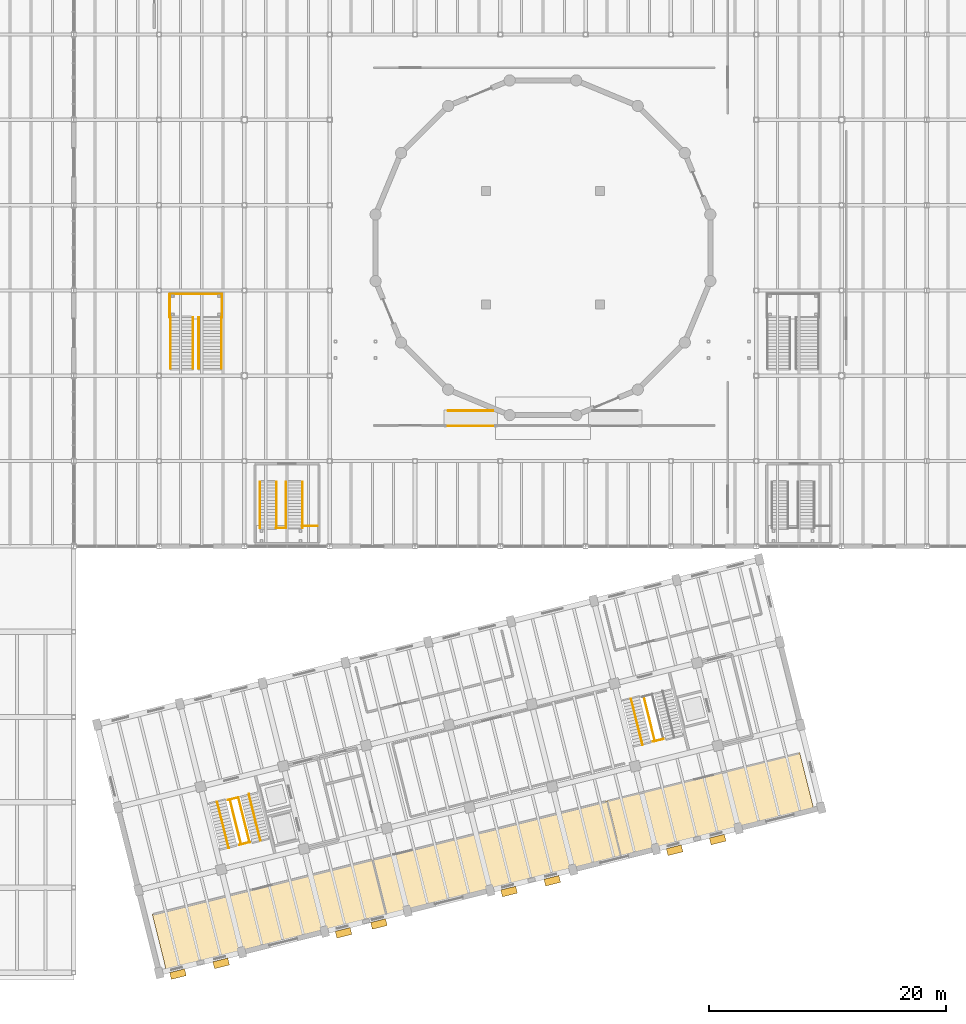
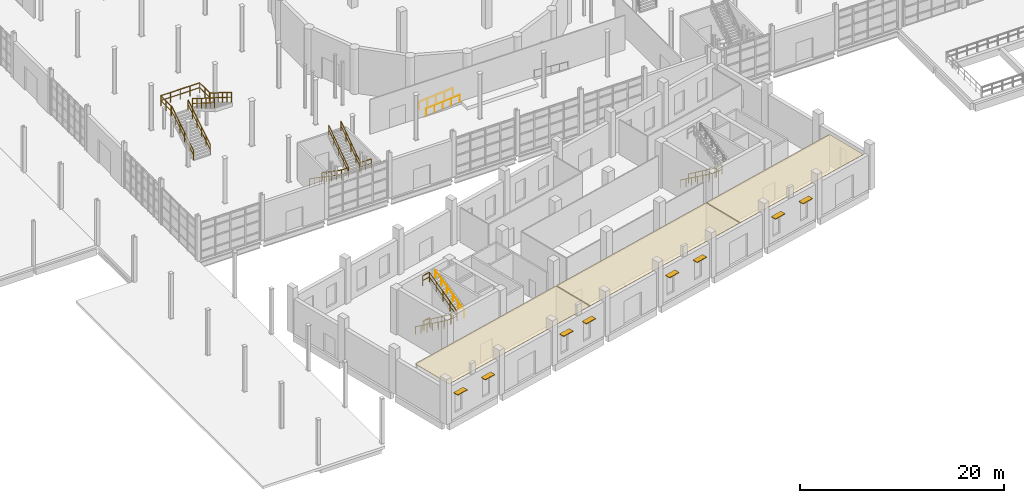
# One storey, part 75 of 79: 25 railings, 8 shading devices, 3 coverings.
"""IFC4 building model written with IfcOpenShell, lengths in metres."""

from ifc_helpers import new_model, si_unit, direction, frame, origin, origin_2d, place, context, subcontext, project, spatial, polyline, rectangle, circle, outline, extrude, material, layer, layer_set, material_profile, profile_set, type_object, element, save


model = new_model("IFC4")

# Units and contexts
model_context = context("Model", 3, precision=1e-05, world=origin(), true_north=direction((0.0, 1.0)))
body_context = subcontext(model_context, "Body", "Model", "MODEL_VIEW")
ifc_project = project(units=[si_unit("LENGTHUNIT", "METRE"), si_unit("AREAUNIT", "SQUARE_METRE"), si_unit("VOLUMEUNIT", "CUBIC_METRE"), si_unit("PLANEANGLEUNIT", "RADIAN"), si_unit("MASSUNIT", "GRAM", prefix="KILO")], contexts=[model_context])

# Site, building, storey
site_placement = place(None, origin())
site = spatial("IfcSite", under=ifc_project, at=site_placement, CompositionType="ELEMENT")
building_placement = place(site_placement, origin())
building = spatial("IfcBuilding", under=site, at=building_placement, Name="Qiaolan Assembly House", CompositionType="ELEMENT")
storey_placement = place(building_placement, origin())
storey = spatial("IfcBuildingStorey", under=building, at=storey_placement, Name="L00", CompositionType="ELEMENT", Elevation=0.0)

# Coverings
ifc_material_1 = material(Name="Gypsum plasterboard acoustic ceiling")
ifc_layer = layer(ifc_material_1, 0.044921875)
ifc_layer_set = layer_set([ifc_layer], Name="Gypsum plasterboard acoustic ceiling")
covering_type = type_object("IfcCoveringType", Name="COV-CEIL-ACOUSTIC", PredefinedType="CEILING", material=ifc_layer_set)
covering_1_placement = place(storey_placement, frame((0.0, 0.0, 4.074951171875)))
element("IfcCovering", 1, at=covering_1_placement, inside=storey, type_object=covering_type, Name="Suspended ceiling Citizens Service Centre — Civil Registration Hall", PredefinedType="CEILING", context=body_context, shape_type="SweptSolid", body=[
    extrude(outline(polyline([(36.577392578125, 0.32958984375), (55.12939453125, 4.955078125), (53.97314453125, 9.593017578125), (35.421142578125, 4.967529296875), (36.577392578125, 0.32958984375)])), origin(), (0.0, 0.0, 1.0), 0.045166015625),
])
covering_2_placement = place(storey_placement, frame((0.0, 0.0, 4.074951171875)))
element("IfcCovering", 2, at=covering_2_placement, inside=storey, type_object=covering_type, Name="Suspended ceiling Citizens Service Centre — Tax, Social Security & Licensing", PredefinedType="CEILING", context=body_context, shape_type="SweptSolid", body=[
    extrude(outline(polyline([(55.20703125, 4.974365234375), (74.923583984375, 9.89013671875), (73.76708984375, 14.5283203125), (54.05078125, 9.6123046875), (55.20703125, 4.974365234375)])), origin(), (0.0, 0.0, 1.0), 0.045166015625),
])
covering_3_placement = place(storey_placement, frame((0.0, 0.0, 4.074951171875)))
element("IfcCovering", 3, at=covering_3_placement, inside=storey, type_object=covering_type, Name="Suspended ceiling Public Waiting Concourse & Queue Ticketing Lounge", PredefinedType="CEILING", context=body_context, shape_type="SweptSolid", body=[
    extrude(outline(polyline([(75.001220703125, 9.90966796875), (91.224609375, 13.95458984375), (90.068115234375, 18.592529296875), (73.8447265625, 14.547607421875), (75.001220703125, 9.90966796875)])), origin(), (0.0, 0.0, 1.0), 0.045166015625),
])

# Railings
ifc_material_2 = material(Name="Anodised bronze aluminium", Category="aluminium")
railing_type_1 = type_object("IfcRailingType", Name="RAL-GUARD-GALLERY-1200", PredefinedType="BALUSTRADE", material=ifc_material_2)
for number, where, name in (
    (4, (36.949951171875, 51.0, 0.0), "GR-02 ceremonial stair balustrade FLT-ST-H1-1-L"),
    (5, (38.85009765625, 51.0, 0.0), "GR-02 ceremonial stair balustrade FLT-ST-H1-1-R"),
):
    element("IfcRailing", number, at=place(storey_placement, frame(where)), inside=storey, type_object=railing_type_1, Name=name, PredefinedType="BALUSTRADE", context=body_context, shape_type="SweptSolid", body=[
        extrude(circle(Radius=0.02392578125, at=origin_2d()), frame((0.0, 0.0, 1.17578125), z_axis=(0.0, 0.848006380901, 0.52998601675), x_axis=(-1.0, 0.0, 0.0)), (0.0, 0.0, 1.0), 5.094482421875),
        extrude(circle(Radius=0.01611328125, at=origin_2d()), frame((0.0, 0.0, 0.60009765625), z_axis=(0.0, 0.848006380901, 0.52998601675), x_axis=(-1.0, 0.0, 0.0)), (0.0, 0.0, 1.0), 5.094482421875),
        extrude(circle(Radius=0.02099609375, at=origin_2d()), origin(), (0.0, 0.0, 1.0), 1.15185546875),
        extrude(circle(Radius=0.02099609375, at=origin_2d()), frame((0.0, 0.864013671875, 0.5400390625)), (0.0, 0.0, 1.0), 1.15185546875),
        extrude(circle(Radius=0.02099609375, at=origin_2d()), frame((0.0, 1.72802734375, 1.080078125)), (0.0, 0.0, 1.0), 1.15185546875),
        extrude(circle(Radius=0.02099609375, at=origin_2d()), frame((0.0, 2.592041015625, 1.619873046875)), (0.0, 0.0, 1.0), 1.15185546875),
        extrude(circle(Radius=0.02099609375, at=origin_2d()), frame((0.0, 3.4560546875, 2.159912109375)), (0.0, 0.0, 1.0), 1.15185546875),
        extrude(circle(Radius=0.02099609375, at=origin_2d()), frame((0.0, 4.320068359375, 2.699951171875)), (0.0, 0.0, 1.0), 1.15185546875),
    ])
for number, where, name in (
    (6, (39.35009765625, 55.320068359375, 2.699951171875), "GR-02 ceremonial stair balustrade FLT-ST-H1-2-L"),
    (7, (41.25, 55.320068359375, 2.699951171875), "GR-02 ceremonial stair balustrade FLT-ST-H1-2-R"),
):
    element("IfcRailing", number, at=place(storey_placement, frame(where)), inside=storey, type_object=railing_type_1, Name=name, PredefinedType="BALUSTRADE", context=body_context, shape_type="SweptSolid", body=[
        extrude(circle(Radius=0.02392578125, at=origin_2d()), frame((0.0, 0.0, 1.17578125), z_axis=(0.0, -0.848006380901, 0.52998601675), x_axis=(1.0, 0.0, 0.0)), (0.0, 0.0, 1.0), 5.094482421875),
        extrude(circle(Radius=0.01611328125, at=origin_2d()), frame((0.0, 0.0, 0.60009765625), z_axis=(0.0, -0.848006380901, 0.52998601675), x_axis=(1.0, 0.0, 0.0)), (0.0, 0.0, 1.0), 5.094482421875),
        extrude(circle(Radius=0.02099609375, at=origin_2d()), origin(), (0.0, 0.0, 1.0), 1.15185546875),
        extrude(circle(Radius=0.02099609375, at=origin_2d()), frame((0.0, -0.864013671875, 0.5400390625)), (0.0, 0.0, 1.0), 1.15185546875),
        extrude(circle(Radius=0.02099609375, at=origin_2d()), frame((0.0, -1.72802734375, 1.080078125)), (0.0, 0.0, 1.0), 1.15185546875),
        extrude(circle(Radius=0.02099609375, at=origin_2d()), frame((0.0, -2.592041015625, 1.619873046875)), (0.0, 0.0, 1.0), 1.15185546875),
        extrude(circle(Radius=0.02099609375, at=origin_2d()), frame((0.0, -3.4560546875, 2.159912109375)), (0.0, 0.0, 1.0), 1.15185546875),
        extrude(circle(Radius=0.02099609375, at=origin_2d()), frame((0.0, -4.320068359375, 2.699951171875)), (0.0, 0.0, 1.0), 1.15185546875),
    ])
railing_1_placement = place(storey_placement, frame((36.89990234375, 55.320068359375, 2.699951171875)))
element("IfcRailing", 8, at=railing_1_placement, inside=storey, type_object=railing_type_1, Name="GR-02 ceremonial mid-landing guard ST-H1 seg 1", PredefinedType="BALUSTRADE", context=body_context, shape_type="SweptSolid", body=[
    extrude(circle(Radius=0.02392578125, at=origin_2d()), frame((0.0, 0.0, 1.17578125), z_axis=(0.0, 1.0, 0.0), x_axis=(-1.0, 0.0, 0.0)), (0.0, 0.0, 1.0), 1.97998046875),
    extrude(circle(Radius=0.01611328125, at=origin_2d()), frame((0.0, 0.0, 0.60009765625), z_axis=(0.0, 1.0, 0.0), x_axis=(-1.0, 0.0, 0.0)), (0.0, 0.0, 1.0), 1.97998046875),
    extrude(circle(Radius=0.02099609375, at=origin_2d()), origin(), (0.0, 0.0, 1.0), 1.15185546875),
    extrude(circle(Radius=0.02099609375, at=origin_2d()), frame((0.0, 0.989990234375, 0.0)), (0.0, 0.0, 1.0), 1.15185546875),
    extrude(circle(Radius=0.02099609375, at=origin_2d()), frame((0.0, 1.97998046875, 0.0)), (0.0, 0.0, 1.0), 1.15185546875),
])
railing_2_placement = place(storey_placement, frame((36.89990234375, 57.300048828125, 2.699951171875)))
element("IfcRailing", 9, at=railing_2_placement, inside=storey, type_object=railing_type_1, Name="GR-02 ceremonial mid-landing guard ST-H1 seg 2", PredefinedType="BALUSTRADE", context=body_context, shape_type="SweptSolid", body=[
    extrude(circle(Radius=0.02392578125, at=origin_2d()), frame((0.0, 0.0, 1.17578125), z_axis=(1.0, 0.0, 0.0), x_axis=(0.0, 1.0, 0.0)), (0.0, 0.0, 1.0), 4.400146484375),
    extrude(circle(Radius=0.01611328125, at=origin_2d()), frame((0.0, 0.0, 0.60009765625), z_axis=(1.0, 0.0, 0.0), x_axis=(0.0, 1.0, 0.0)), (0.0, 0.0, 1.0), 4.400146484375),
    extrude(circle(Radius=0.02099609375, at=origin_2d()), origin(), (0.0, 0.0, 1.0), 1.15185546875),
    extrude(circle(Radius=0.02099609375, at=origin_2d()), frame((1.10009765625, 0.0, 0.0)), (0.0, 0.0, 1.0), 1.15185546875),
    extrude(circle(Radius=0.02099609375, at=origin_2d()), frame((2.2001953125, 0.0, 0.0)), (0.0, 0.0, 1.0), 1.15185546875),
    extrude(circle(Radius=0.02099609375, at=origin_2d()), frame((3.300048828125, 0.0, 0.0)), (0.0, 0.0, 1.0), 1.15185546875),
    extrude(circle(Radius=0.02099609375, at=origin_2d()), frame((4.400146484375, 0.0, 0.0)), (0.0, 0.0, 1.0), 1.15185546875),
])
railing_3_placement = place(storey_placement, frame((41.300048828125, 57.300048828125, 2.699951171875)))
element("IfcRailing", 10, at=railing_3_placement, inside=storey, type_object=railing_type_1, Name="GR-02 ceremonial mid-landing guard ST-H1 seg 3", PredefinedType="BALUSTRADE", context=body_context, shape_type="SweptSolid", body=[
    extrude(circle(Radius=0.02392578125, at=origin_2d()), frame((0.0, 0.0, 1.17578125), z_axis=(0.0, -1.0, 0.0), x_axis=(1.0, 0.0, 0.0)), (0.0, 0.0, 1.0), 1.97998046875),
    extrude(circle(Radius=0.01611328125, at=origin_2d()), frame((0.0, 0.0, 0.60009765625), z_axis=(0.0, -1.0, 0.0), x_axis=(1.0, 0.0, 0.0)), (0.0, 0.0, 1.0), 1.97998046875),
    extrude(circle(Radius=0.02099609375, at=origin_2d()), origin(), (0.0, 0.0, 1.0), 1.15185546875),
    extrude(circle(Radius=0.02099609375, at=origin_2d()), frame((0.0, -0.989990234375, 0.0)), (0.0, 0.0, 1.0), 1.15185546875),
    extrude(circle(Radius=0.02099609375, at=origin_2d()), frame((0.0, -1.97998046875, 0.0)), (0.0, 0.0, 1.0), 1.15185546875),
])
railing_type_2 = type_object("IfcRailingType", Name="RAL-GUARD-STAIRWELL-1150", PredefinedType="GUARDRAIL", material=ifc_material_2)
railing_4_placement = place(storey_placement, frame((41.97802734375, 14.630859375, 0.0)))
element("IfcRailing", 11, at=railing_4_placement, inside=storey, type_object=railing_type_2, Name="GR-01 stair inner-well guard FLT-CORE-C-L00-1", PredefinedType="GUARDRAIL", context=body_context, shape_type="SweptSolid", body=[
    extrude(circle(Radius=0.02392578125, at=origin_2d()), frame((0.0, 0.0, 1.1259765625), z_axis=(0.198928469687, -0.79777264687, 0.569197916241), x_axis=(0.970289613784, 0.241946410147, 0.0)), (0.0, 0.0, 1.0), 4.743408203125),
    extrude(circle(Radius=0.01611328125, at=origin_2d()), frame((0.0, 0.0, 0.574951171875), z_axis=(0.198928469687, -0.79777264687, 0.569197916241), x_axis=(0.970289613784, 0.241946410147, 0.0)), (0.0, 0.0, 1.0), 4.743408203125),
    extrude(circle(Radius=0.02099609375, at=origin_2d()), origin(), (0.0, 0.0, 1.0), 1.101806640625),
    extrude(circle(Radius=0.02099609375, at=origin_2d()), frame((0.23583984375, -0.946044921875, 0.675048828125)), (0.0, 0.0, 1.0), 1.101806640625),
    extrude(circle(Radius=0.02099609375, at=origin_2d()), frame((0.4716796875, -1.89208984375, 1.35009765625)), (0.0, 0.0, 1.0), 1.101806640625),
    extrude(circle(Radius=0.02099609375, at=origin_2d()), frame((0.707763671875, -2.838134765625, 2.02490234375)), (0.0, 0.0, 1.0), 1.101806640625),
    extrude(circle(Radius=0.02099609375, at=origin_2d()), frame((0.943603515625, -3.7841796875, 2.699951171875)), (0.0, 0.0, 1.0), 1.101806640625),
])
railing_5_placement = place(storey_placement, frame((43.6396484375, 11.025634765625, 2.699951171875)))
element("IfcRailing", 12, at=railing_5_placement, inside=storey, type_object=railing_type_2, Name="GR-01 stair inner-well guard FLT-CORE-C-L00-2", PredefinedType="GUARDRAIL", context=body_context, shape_type="SweptSolid", body=[
    extrude(circle(Radius=0.02392578125, at=origin_2d()), frame((0.0, 0.0, 1.1259765625), z_axis=(-0.198928469687, 0.79777264687, 0.569197916241), x_axis=(-0.970289613784, -0.241946410147, 0.0)), (0.0, 0.0, 1.0), 4.743408203125),
    extrude(circle(Radius=0.01611328125, at=origin_2d()), frame((0.0, 0.0, 0.574951171875), z_axis=(-0.198928469687, 0.79777264687, 0.569197916241), x_axis=(-0.970289613784, -0.241946410147, 0.0)), (0.0, 0.0, 1.0), 4.743408203125),
    extrude(circle(Radius=0.02099609375, at=origin_2d()), origin(), (0.0, 0.0, 1.0), 1.101806640625),
    extrude(circle(Radius=0.02099609375, at=origin_2d()), frame((-0.23583984375, 0.946044921875, 0.675048828125)), (0.0, 0.0, 1.0), 1.101806640625),
    extrude(circle(Radius=0.02099609375, at=origin_2d()), frame((-0.4716796875, 1.89208984375, 1.35009765625)), (0.0, 0.0, 1.0), 1.101806640625),
    extrude(circle(Radius=0.02099609375, at=origin_2d()), frame((-0.707763671875, 2.838134765625, 2.02490234375)), (0.0, 0.0, 1.0), 1.101806640625),
    extrude(circle(Radius=0.02099609375, at=origin_2d()), frame((-0.943603515625, 3.7841796875, 2.699951171875)), (0.0, 0.0, 1.0), 1.101806640625),
])
railing_6_placement = place(storey_placement, frame((42.766357421875, 10.807861328125, 2.699951171875)))
element("IfcRailing", 13, at=railing_6_placement, inside=storey, type_object=railing_type_2, Name="GR-01 stairwell landing guard CORE-C L00-1", PredefinedType="GUARDRAIL", context=body_context, shape_type="SweptSolid", body=[
    extrude(circle(Radius=0.02392578125, at=origin_2d()), frame((0.0, 0.0, 1.1259765625), z_axis=(0.97026726112, 0.242036034503, 0.0), x_axis=(-0.242036034503, 0.97026726112, 0.0)), (0.0, 0.0, 1.0), 0.919921875),
    extrude(circle(Radius=0.01611328125, at=origin_2d()), frame((0.0, 0.0, 0.574951171875), z_axis=(0.97026726112, 0.242036034503, 0.0), x_axis=(-0.242036034503, 0.97026726112, 0.0)), (0.0, 0.0, 1.0), 0.919921875),
    extrude(circle(Radius=0.02099609375, at=origin_2d()), origin(), (0.0, 0.0, 1.0), 1.101806640625),
    extrude(circle(Radius=0.02099609375, at=origin_2d()), frame((0.892578125, 0.22265625, 0.0)), (0.0, 0.0, 1.0), 1.101806640625),
])
for number, where, name in (
    (14, (41.82275390625, 14.592041015625, 5.39990234375), "GR-01 stairwell landing guard CORE-C L00-2"),
    (15, (41.82275390625, 14.592041015625, 0.0), "GR-01 stairwell landing guard CORE-C L00-3"),
):
    element("IfcRailing", number, at=place(storey_placement, frame(where)), inside=storey, type_object=railing_type_2, Name=name, PredefinedType="GUARDRAIL", context=body_context, shape_type="SweptSolid", body=[
        extrude(circle(Radius=0.02392578125, at=origin_2d()), frame((0.0, 0.0, 1.1259765625), z_axis=(0.970282802069, 0.241973725865, 0.0), x_axis=(-0.241973725865, 0.970282802069, 0.0)), (0.0, 0.0, 1.0), 0.920166015625),
        extrude(circle(Radius=0.01611328125, at=origin_2d()), frame((0.0, 0.0, 0.574951171875), z_axis=(0.970282802069, 0.241973725865, 0.0), x_axis=(-0.241973725865, 0.970282802069, 0.0)), (0.0, 0.0, 1.0), 0.920166015625),
        extrude(circle(Radius=0.02099609375, at=origin_2d()), origin(), (0.0, 0.0, 1.0), 1.101806640625),
        extrude(circle(Radius=0.02099609375, at=origin_2d()), frame((0.892822265625, 0.22265625, 0.0)), (0.0, 0.0, 1.0), 1.101806640625),
    ])
railing_7_placement = place(storey_placement, frame((76.90869140625, 23.340087890625, 0.0)))
element("IfcRailing", 16, at=railing_7_placement, inside=storey, type_object=railing_type_2, Name="GR-01 stair inner-well guard FLT-CORE-D-L00-1", PredefinedType="GUARDRAIL", context=body_context, shape_type="SweptSolid", body=[
    extrude(circle(Radius=0.02392578125, at=origin_2d()), frame((0.0, 0.0, 1.1259765625), z_axis=(0.198928469687, -0.79777264687, 0.569197916241), x_axis=(0.970289613784, 0.241946410147, 0.0)), (0.0, 0.0, 1.0), 4.743408203125),
    extrude(circle(Radius=0.01611328125, at=origin_2d()), frame((0.0, 0.0, 0.574951171875), z_axis=(0.198928469687, -0.79777264687, 0.569197916241), x_axis=(0.970289613784, 0.241946410147, 0.0)), (0.0, 0.0, 1.0), 4.743408203125),
    extrude(circle(Radius=0.02099609375, at=origin_2d()), origin(), (0.0, 0.0, 1.0), 1.101806640625),
    extrude(circle(Radius=0.02099609375, at=origin_2d()), frame((0.23583984375, -0.946044921875, 0.675048828125)), (0.0, 0.0, 1.0), 1.101806640625),
    extrude(circle(Radius=0.02099609375, at=origin_2d()), frame((0.4716796875, -1.89208984375, 1.35009765625)), (0.0, 0.0, 1.0), 1.101806640625),
    extrude(circle(Radius=0.02099609375, at=origin_2d()), frame((0.707763671875, -2.838134765625, 2.02490234375)), (0.0, 0.0, 1.0), 1.101806640625),
    extrude(circle(Radius=0.02099609375, at=origin_2d()), frame((0.943603515625, -3.7841796875, 2.699951171875)), (0.0, 0.0, 1.0), 1.101806640625),
])
railing_8_placement = place(storey_placement, frame((77.697021484375, 19.51708984375, 2.699951171875)))
element("IfcRailing", 17, at=railing_8_placement, inside=storey, type_object=railing_type_2, Name="GR-01 stairwell landing guard CORE-D L00-1", PredefinedType="GUARDRAIL", context=body_context, shape_type="SweptSolid", body=[
    extrude(circle(Radius=0.02392578125, at=origin_2d()), frame((0.0, 0.0, 1.1259765625), z_axis=(0.97026726112, 0.242036034503, 0.0), x_axis=(-0.242036034503, 0.97026726112, 0.0)), (0.0, 0.0, 1.0), 0.919921875),
    extrude(circle(Radius=0.01611328125, at=origin_2d()), frame((0.0, 0.0, 0.574951171875), z_axis=(0.97026726112, 0.242036034503, 0.0), x_axis=(-0.242036034503, 0.97026726112, 0.0)), (0.0, 0.0, 1.0), 0.919921875),
    extrude(circle(Radius=0.02099609375, at=origin_2d()), origin(), (0.0, 0.0, 1.0), 1.101806640625),
    extrude(circle(Radius=0.02099609375, at=origin_2d()), frame((0.892578125, 0.22265625, 0.0)), (0.0, 0.0, 1.0), 1.101806640625),
])
railing_9_placement = place(storey_placement, frame((45.89990234375, 41.449951171875, 0.0)))
element("IfcRailing", 18, at=railing_9_placement, inside=storey, type_object=railing_type_2, Name="GR-01 foyer L00 open-well guard FLT-ST-F01-1-R", PredefinedType="GUARDRAIL", context=body_context, shape_type="SweptSolid", body=[
    extrude(circle(Radius=0.02392578125, at=origin_2d()), frame((0.0, 0.0, 1.1259765625), z_axis=(0.0, -0.8221903387, 0.569212655295), x_axis=(1.0, 0.0, 0.0)), (0.0, 0.0, 1.0), 4.743408203125),
    extrude(circle(Radius=0.01611328125, at=origin_2d()), frame((0.0, 0.0, 0.574951171875), z_axis=(0.0, -0.8221903387, 0.569212655295), x_axis=(1.0, 0.0, 0.0)), (0.0, 0.0, 1.0), 4.743408203125),
    extrude(circle(Radius=0.02099609375, at=origin_2d()), origin(), (0.0, 0.0, 1.0), 1.101806640625),
    extrude(circle(Radius=0.02099609375, at=origin_2d()), frame((0.0, -0.97509765625, 0.675048828125)), (0.0, 0.0, 1.0), 1.101806640625),
    extrude(circle(Radius=0.02099609375, at=origin_2d()), frame((0.0, -1.949951171875, 1.35009765625)), (0.0, 0.0, 1.0), 1.101806640625),
    extrude(circle(Radius=0.02099609375, at=origin_2d()), frame((0.0, -2.9248046875, 2.02490234375)), (0.0, 0.0, 1.0), 1.101806640625),
    extrude(circle(Radius=0.02099609375, at=origin_2d()), frame((0.0, -3.89990234375, 2.699951171875)), (0.0, 0.0, 1.0), 1.101806640625),
])
for number, where, name in (
    (19, (46.719970703125, 37.550048828125, 2.699951171875), "GR-01 foyer L00 inner-well guard FLT-ST-F01-2-L"),
    (20, (48.10009765625, 37.550048828125, 2.699951171875), "GR-01 foyer L00 open-well guard FLT-ST-F01-2-R"),
):
    element("IfcRailing", number, at=place(storey_placement, frame(where)), inside=storey, type_object=railing_type_2, Name=name, PredefinedType="GUARDRAIL", context=body_context, shape_type="SweptSolid", body=[
        extrude(circle(Radius=0.02392578125, at=origin_2d()), frame((0.0, 0.0, 1.1259765625), z_axis=(0.0, 0.8221903387, 0.569212655295), x_axis=(-1.0, 0.0, 0.0)), (0.0, 0.0, 1.0), 4.743408203125),
        extrude(circle(Radius=0.01611328125, at=origin_2d()), frame((0.0, 0.0, 0.574951171875), z_axis=(0.0, 0.8221903387, 0.569212655295), x_axis=(-1.0, 0.0, 0.0)), (0.0, 0.0, 1.0), 4.743408203125),
        extrude(circle(Radius=0.02099609375, at=origin_2d()), origin(), (0.0, 0.0, 1.0), 1.101806640625),
        extrude(circle(Radius=0.02099609375, at=origin_2d()), frame((0.0, 0.97509765625, 0.675048828125)), (0.0, 0.0, 1.0), 1.101806640625),
        extrude(circle(Radius=0.02099609375, at=origin_2d()), frame((0.0, 1.949951171875, 1.35009765625)), (0.0, 0.0, 1.0), 1.101806640625),
        extrude(circle(Radius=0.02099609375, at=origin_2d()), frame((0.0, 2.9248046875, 2.02490234375)), (0.0, 0.0, 1.0), 1.101806640625),
        extrude(circle(Radius=0.02099609375, at=origin_2d()), frame((0.0, 3.89990234375, 2.699951171875)), (0.0, 0.0, 1.0), 1.101806640625),
    ])
railing_10_placement = place(storey_placement, frame((45.8798828125, 37.550048828125, 2.699951171875)))
element("IfcRailing", 21, at=railing_10_placement, inside=storey, type_object=railing_type_2, Name="GR-01 foyer L00 mid-landing guard ST-F01", PredefinedType="GUARDRAIL", context=body_context, shape_type="SweptSolid", body=[
    extrude(circle(Radius=0.02392578125, at=origin_2d()), frame((0.0, 0.0, 1.1259765625), z_axis=(1.0, 0.0, 0.0), x_axis=(0.0, 1.0, 0.0)), (0.0, 0.0, 1.0), 0.840087890625),
    extrude(circle(Radius=0.01611328125, at=origin_2d()), frame((0.0, 0.0, 0.574951171875), z_axis=(1.0, 0.0, 0.0), x_axis=(0.0, 1.0, 0.0)), (0.0, 0.0, 1.0), 0.840087890625),
    extrude(circle(Radius=0.02099609375, at=origin_2d()), origin(), (0.0, 0.0, 1.0), 1.101806640625),
    extrude(circle(Radius=0.02099609375, at=origin_2d()), frame((0.840087890625, 0.0, 0.0)), (0.0, 0.0, 1.0), 1.101806640625),
])
railing_11_placement = place(storey_placement, frame((48.06005859375, 37.72998046875, 2.699951171875)))
element("IfcRailing", 22, at=railing_11_placement, inside=storey, type_object=railing_type_2, Name="GR-01 foyer L00 east half-landing guard ST-F01", PredefinedType="GUARDRAIL", context=body_context, shape_type="SweptSolid", body=[
    extrude(circle(Radius=0.02392578125, at=origin_2d()), frame((0.0, 0.0, 1.1259765625), z_axis=(1.0, 0.0, 0.0), x_axis=(0.0, 1.0, 0.0)), (0.0, 0.0, 1.0), 1.31982421875),
    extrude(circle(Radius=0.01611328125, at=origin_2d()), frame((0.0, 0.0, 0.574951171875), z_axis=(1.0, 0.0, 0.0), x_axis=(0.0, 1.0, 0.0)), (0.0, 0.0, 1.0), 1.31982421875),
    extrude(circle(Radius=0.02099609375, at=origin_2d()), origin(), (0.0, 0.0, 1.0), 1.101806640625),
    extrude(circle(Radius=0.02099609375, at=origin_2d()), frame((0.659912109375, 0.0, 0.0)), (0.0, 0.0, 1.0), 1.101806640625),
    extrude(circle(Radius=0.02099609375, at=origin_2d()), frame((1.31982421875, 0.0, 0.0)), (0.0, 0.0, 1.0), 1.101806640625),
])
railing_type_3 = type_object("IfcRailingType", Name="RAL-HANDRAIL-RAMP-900", PredefinedType="HANDRAIL", material=ifc_material_2)
for number, where, name in (
    (23, (60.39990234375, 47.445068359375, 0.028076171875), "HR-02 accessible dais ramp handrail RMP-ACC-P1-L"),
    (24, (60.39990234375, 46.155029296875, 0.028076171875), "HR-02 accessible dais ramp handrail RMP-ACC-P1-R"),
):
    element("IfcRailing", number, at=place(storey_placement, frame(where)), inside=storey, type_object=railing_type_3, Name=name, PredefinedType="HANDRAIL", context=body_context, shape_type="SweptSolid", body=[
        extrude(circle(Radius=0.02392578125, at=origin_2d()), frame((0.0, 0.0, 0.8759765625), z_axis=(0.996816296613, 0.0, 0.079732495296), x_axis=(0.0, 1.0, 0.0)), (0.0, 0.0, 1.0), 3.812255859375),
        extrude(circle(Radius=0.02099609375, at=origin_2d()), origin(), (0.0, 0.0, 1.0), 0.851806640625),
        extrude(circle(Radius=0.02099609375, at=origin_2d()), frame((0.949951171875, 0.0, 0.075927734375)), (0.0, 0.0, 1.0), 0.851806640625),
        extrude(circle(Radius=0.02099609375, at=origin_2d()), frame((1.89990234375, 0.0, 0.15185546875)), (0.0, 0.0, 1.0), 0.851806640625),
        extrude(circle(Radius=0.02099609375, at=origin_2d()), frame((2.85009765625, 0.0, 0.22802734375)), (0.0, 0.0, 1.0), 0.851806640625),
        extrude(circle(Radius=0.02099609375, at=origin_2d()), frame((3.800048828125, 0.0, 0.303955078125)), (0.0, 0.0, 1.0), 0.851806640625),
    ])
railing_type_4 = type_object("IfcRailingType", Name="RAL-HANDRAIL-STAIR-920", PredefinedType="HANDRAIL", material=ifc_material_2)
railing_12_placement = place(storey_placement, frame((40.906005859375, 14.42529296875, 0.0)))
element("IfcRailing", 25, at=railing_12_placement, inside=storey, type_object=railing_type_4, Name="HR-01 stair handrail FLT-CORE-C-L00-1", PredefinedType="HANDRAIL", context=body_context, shape_type="SweptSolid", body=[
    extrude(circle(Radius=0.02392578125, at=origin_2d()), frame((0.0, 0.0, 0.89599609375), z_axis=(0.200805870417, -0.805492189721, 0.557547607568), x_axis=(0.970303046203, 0.241892535083, 0.0)), (0.0, 0.0, 1.0), 4.842529296875),
    extrude(circle(Radius=0.02099609375, at=origin_2d()), origin(), (0.0, 0.0, 1.0), 0.871826171875),
    extrude(circle(Radius=0.02099609375, at=origin_2d()), frame((0.194580078125, -0.780029296875, 0.5400390625)), (0.0, 0.0, 1.0), 0.871826171875),
    extrude(circle(Radius=0.02099609375, at=origin_2d()), frame((0.388916015625, -1.560302734375, 1.080078125)), (0.0, 0.0, 1.0), 0.871826171875),
    extrude(circle(Radius=0.02099609375, at=origin_2d()), frame((0.58349609375, -2.34033203125, 1.619873046875)), (0.0, 0.0, 1.0), 0.871826171875),
    extrude(circle(Radius=0.02099609375, at=origin_2d()), frame((0.77783203125, -3.12060546875, 2.159912109375)), (0.0, 0.0, 1.0), 0.871826171875),
    extrude(circle(Radius=0.02099609375, at=origin_2d()), frame((0.972412109375, -3.900634765625, 2.699951171875)), (0.0, 0.0, 1.0), 0.871826171875),
])
railing_13_placement = place(storey_placement, frame((44.546875, 11.18994140625, 2.699951171875)))
element("IfcRailing", 26, at=railing_13_placement, inside=storey, type_object=railing_type_4, Name="HR-01 stair handrail FLT-CORE-C-L00-2", PredefinedType="HANDRAIL", context=body_context, shape_type="SweptSolid", body=[
    extrude(circle(Radius=0.02392578125, at=origin_2d()), frame((0.0, 0.0, 0.89599609375), z_axis=(-0.200854252503, 0.805484034199, 0.557541962459), x_axis=(-0.970288790555, -0.241949711559, 0.0)), (0.0, 0.0, 1.0), 4.842529296875),
    extrude(circle(Radius=0.02099609375, at=origin_2d()), origin(), (0.0, 0.0, 1.0), 0.871826171875),
    extrude(circle(Radius=0.02099609375, at=origin_2d()), frame((-0.194580078125, 0.780029296875, 0.5400390625)), (0.0, 0.0, 1.0), 0.871826171875),
    extrude(circle(Radius=0.02099609375, at=origin_2d()), frame((-0.38916015625, 1.560302734375, 1.080078125)), (0.0, 0.0, 1.0), 0.871826171875),
    extrude(circle(Radius=0.02099609375, at=origin_2d()), frame((-0.58349609375, 2.34033203125, 1.619873046875)), (0.0, 0.0, 1.0), 0.871826171875),
    extrude(circle(Radius=0.02099609375, at=origin_2d()), frame((-0.778076171875, 3.12060546875, 2.159912109375)), (0.0, 0.0, 1.0), 0.871826171875),
    extrude(circle(Radius=0.02099609375, at=origin_2d()), frame((-0.97265625, 3.900634765625, 2.699951171875)), (0.0, 0.0, 1.0), 0.871826171875),
])
railing_14_placement = place(storey_placement, frame((75.836669921875, 23.134521484375, 0.0)))
element("IfcRailing", 27, at=railing_14_placement, inside=storey, type_object=railing_type_4, Name="HR-01 stair handrail FLT-CORE-D-L00-1", PredefinedType="HANDRAIL", context=body_context, shape_type="SweptSolid", body=[
    extrude(circle(Radius=0.02392578125, at=origin_2d()), frame((0.0, 0.0, 0.89599609375), z_axis=(0.200805870417, -0.805492189721, 0.557547607568), x_axis=(0.970303046203, 0.241892535083, 0.0)), (0.0, 0.0, 1.0), 4.842529296875),
    extrude(circle(Radius=0.02099609375, at=origin_2d()), origin(), (0.0, 0.0, 1.0), 0.871826171875),
    extrude(circle(Radius=0.02099609375, at=origin_2d()), frame((0.194580078125, -0.780029296875, 0.5400390625)), (0.0, 0.0, 1.0), 0.871826171875),
    extrude(circle(Radius=0.02099609375, at=origin_2d()), frame((0.388916015625, -1.560302734375, 1.080078125)), (0.0, 0.0, 1.0), 0.871826171875),
    extrude(circle(Radius=0.02099609375, at=origin_2d()), frame((0.58349609375, -2.34033203125, 1.619873046875)), (0.0, 0.0, 1.0), 0.871826171875),
    extrude(circle(Radius=0.02099609375, at=origin_2d()), frame((0.77783203125, -3.12060546875, 2.159912109375)), (0.0, 0.0, 1.0), 0.871826171875),
    extrude(circle(Radius=0.02099609375, at=origin_2d()), frame((0.972412109375, -3.900634765625, 2.699951171875)), (0.0, 0.0, 1.0), 0.871826171875),
])
railing_15_placement = place(storey_placement, frame((44.52001953125, 41.449951171875, 0.0)))
element("IfcRailing", 28, at=railing_15_placement, inside=storey, type_object=railing_type_4, Name="HR-01 foyer L00 handrail FLT-ST-F01-1-L", PredefinedType="HANDRAIL", context=body_context, shape_type="SweptSolid", body=[
    extrude(circle(Radius=0.02392578125, at=origin_2d()), frame((0.0, 0.0, 0.89599609375), z_axis=(0.0, -0.8221903387, 0.569212655295), x_axis=(1.0, 0.0, 0.0)), (0.0, 0.0, 1.0), 4.743408203125),
    extrude(circle(Radius=0.02099609375, at=origin_2d()), origin(), (0.0, 0.0, 1.0), 0.871826171875),
    extrude(circle(Radius=0.02099609375, at=origin_2d()), frame((0.0, -0.97509765625, 0.675048828125)), (0.0, 0.0, 1.0), 0.871826171875),
    extrude(circle(Radius=0.02099609375, at=origin_2d()), frame((0.0, -1.949951171875, 1.35009765625)), (0.0, 0.0, 1.0), 0.871826171875),
    extrude(circle(Radius=0.02099609375, at=origin_2d()), frame((0.0, -2.9248046875, 2.02490234375)), (0.0, 0.0, 1.0), 0.871826171875),
    extrude(circle(Radius=0.02099609375, at=origin_2d()), frame((0.0, -3.89990234375, 2.699951171875)), (0.0, 0.0, 1.0), 0.871826171875),
])

# Shading devices
ifc_material_profile = material_profile(ifc_material_2, rectangle(XDim=0.60009765625, YDim=0.070068359375, at=origin_2d()), Name="SHD 600x70")
ifc_profile_set = profile_set([ifc_material_profile], Name="Anodised bronze aluminium")
shading_device_type = type_object("IfcShadingDeviceType", Name="SHD-SUNSHADE-AL-600", PredefinedType="AWNING", material=ifc_profile_set)
shading_device_1_placement = place(storey_placement, frame((36.967041015625, -0.26123046875, 3.14990234375), z_axis=(0.970296981152, 0.24191686251, 0.0), x_axis=(-0.24191686251, 0.970296981152, 0.0)))
element("IfcShadingDevice", 29, at=shading_device_1_placement, inside=storey, type_object=shading_device_type, Name="SH-02 horizontal sunshade louvre L00-1", PredefinedType="AWNING", context=body_context, shape_type="SweptSolid", body=[
    extrude(rectangle(XDim=0.60009765625, YDim=0.070068359375, at=origin_2d()), origin(), (0.0, 0.0, 1.0), 1.2998046875),
])
for number, where, z_axis, x_axis, name in (
    (30, (40.60546875, 0.645751953125, 3.14990234375), (0.970263883687, 0.242049573461, 0.0), (-0.242049573461, 0.970263883687, 0.0), "SH-02 horizontal sunshade louvre L00-1"),
    (31, (50.939208984375, 3.222412109375, 3.14990234375), (0.970307970296, 0.241872782222, 0.0), (-0.241872782222, 0.970307970296, 0.0), "SH-02 horizontal sunshade louvre L00-3"),
    (32, (53.9228515625, 3.96630859375, 3.14990234375), (0.970307970296, 0.241872782222, 0.0), (-0.241872782222, 0.970307970296, 0.0), "SH-02 horizontal sunshade louvre L00-3"),
    (33, (64.911376953125, 6.7060546875, 3.14990234375), (0.970307970296, 0.241872782222, 0.0), (-0.241872782222, 0.970307970296, 0.0), "SH-02 horizontal sunshade louvre L00-5"),
    (34, (68.550048828125, 7.61328125, 3.14990234375), (0.970307970296, 0.241872782222, 0.0), (-0.241872782222, 0.970307970296, 0.0), "SH-02 horizontal sunshade louvre L00-5"),
):
    element("IfcShadingDevice", number, at=place(storey_placement, frame(where, z_axis=z_axis, x_axis=x_axis)), inside=storey, type_object=shading_device_type, Name=name, PredefinedType="AWNING", context=body_context, shape_type="SweptSolid", body=[
        extrude(rectangle(XDim=0.60009765625, YDim=0.070068359375, at=origin_2d()), origin(), (0.0, 0.0, 1.0), 1.300048828125),
    ])
shading_device_2_placement = place(storey_placement, frame((78.8837890625, 10.189697265625, 3.14990234375), z_axis=(0.970296981152, 0.24191686251, 0.0), x_axis=(-0.24191686251, 0.970296981152, 0.0)))
element("IfcShadingDevice", 35, at=shading_device_2_placement, inside=storey, type_object=shading_device_type, Name="SH-02 horizontal sunshade louvre L00-7", PredefinedType="AWNING", context=body_context, shape_type="SweptSolid", body=[
    extrude(rectangle(XDim=0.60009765625, YDim=0.070068359375, at=origin_2d()), origin(), (0.0, 0.0, 1.0), 1.2998046875),
])
shading_device_3_placement = place(storey_placement, frame((82.522216796875, 11.096923828125, 3.14990234375), z_axis=(0.970307970296, 0.241872782222, 0.0), x_axis=(-0.241872782222, 0.970307970296, 0.0)))
element("IfcShadingDevice", 36, at=shading_device_3_placement, inside=storey, type_object=shading_device_type, Name="SH-02 horizontal sunshade louvre L00-7", PredefinedType="AWNING", context=body_context, shape_type="SweptSolid", body=[
    extrude(rectangle(XDim=0.60009765625, YDim=0.070068359375, at=origin_2d()), origin(), (0.0, 0.0, 1.0), 1.300048828125),
])

save(model, "model.ifc")
